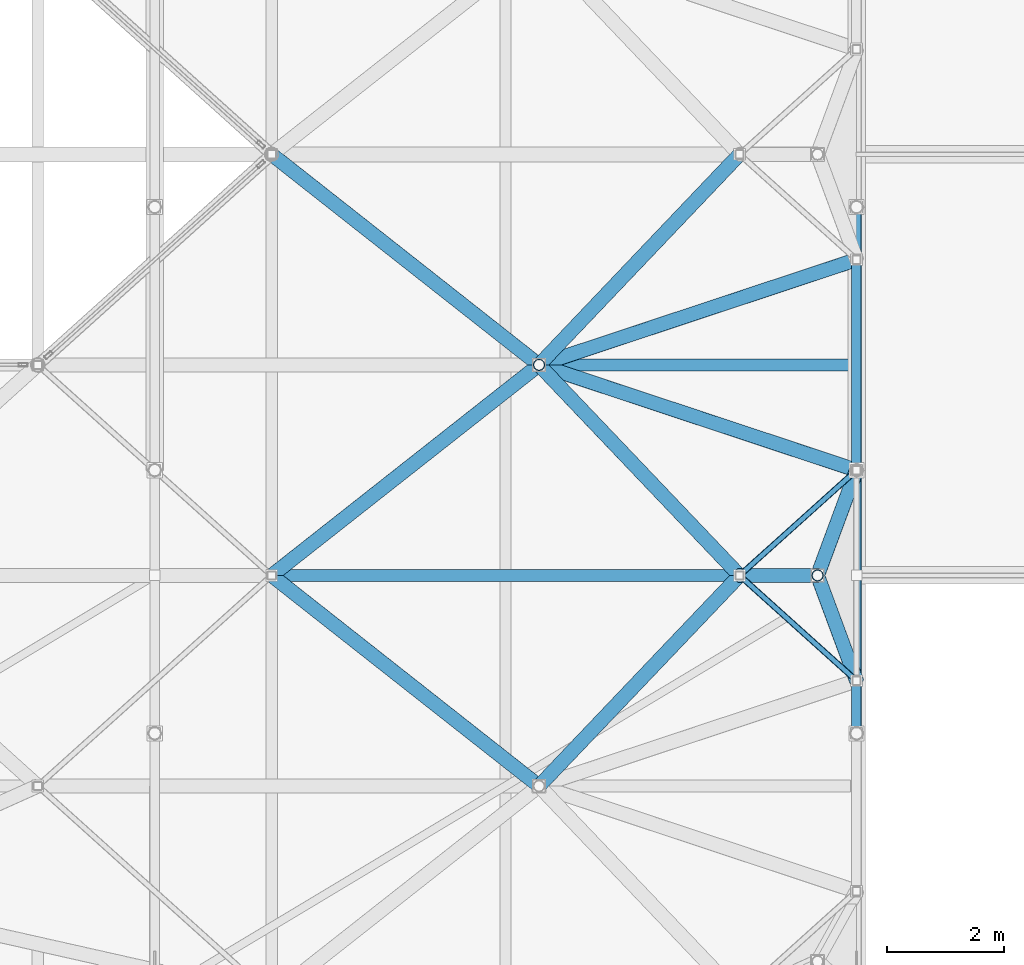
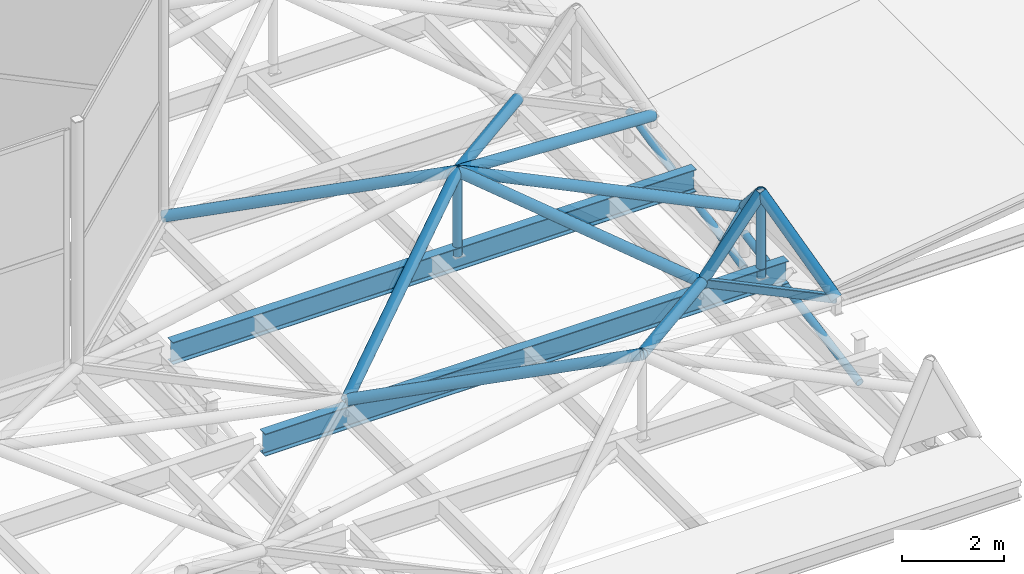
# One storey, part 43 of 239: 15 members, 4 beams.
"""IFC4 building model written with IfcOpenShell, lengths in metres."""

from ifc_helpers import new_model, si_unit, direction, frame, origin, origin_2d, place, context, subcontext, project, spatial, hollow_rectangle, hollow_circle, i_section, extrude, material, material_profile, profile_set, type_object, element, save


model = new_model("IFC4")

# Units and contexts
model_context = context("Model", 3, precision=1e-05, world=origin(), true_north=direction((0.0, 1.0)))
body_context = subcontext(model_context, "Body", "Model", "MODEL_VIEW")
ifc_project = project(units=[si_unit("LENGTHUNIT", "METRE"), si_unit("AREAUNIT", "SQUARE_METRE"), si_unit("VOLUMEUNIT", "CUBIC_METRE"), si_unit("PLANEANGLEUNIT", "RADIAN"), si_unit("MASSUNIT", "GRAM", prefix="KILO")], contexts=[model_context])

# Site, building, storey
site_placement = place(None, origin())
site = spatial("IfcSite", under=ifc_project, at=site_placement, CompositionType="ELEMENT")
building_placement = place(site_placement, origin())
building = spatial("IfcBuilding", under=site, at=building_placement, Name="Dunvalen Ferry Terminal", CompositionType="ELEMENT")
storey_placement = place(building_placement, frame((0.0, 0.0, 9.840087890625)))
storey = spatial("IfcBuildingStorey", under=building, at=storey_placement, Name="L02", CompositionType="ELEMENT", Elevation=9.840087890625)

# Beams
ifc_material = material(Name="Steel S355", Category="steel")
ifc_material_profile_1 = material_profile(ifc_material, hollow_rectangle(XDim=0.10009765625, YDim=0.199951171875, WallThickness=0.008056640625, InnerFilletRadius=0.008056640625, OuterFilletRadius=0.01611328125, at=origin_2d()), Name="Steel S355")
ifc_profile_set_1 = profile_set([ifc_material_profile_1], Name="Steel S355")
beam_type_1 = type_object("IfcBeamType", Name="STR-BM-RHS200", PredefinedType="BEAM", material=ifc_profile_set_1)
for number, where, z_axis, x_axis, name in (
    (1, (96.0, 55.800048828125, 1.099853515625), (-0.743285123004, 0.668974757313, 0.0), (-0.668974757313, -0.743285123004, 0.0), "HEX-40 Hexagonal Rim Beam 5"),
    (2, (94.0, 57.60009765625, 1.099853515625), (0.74333024006, 0.66892462521, 0.0), (-0.66892462521, 0.74333024006, 0.0), "HEX-41 Hexagonal Rim Beam 3"),
):
    element("IfcBeam", number, at=place(storey_placement, frame(where, z_axis=z_axis, x_axis=x_axis)), inside=storey, type_object=beam_type_1, Name=name, PredefinedType="BEAM", context=body_context, shape_type="SweptSolid", body=[
        extrude(hollow_rectangle(XDim=0.10009765625, YDim=0.199951171875, WallThickness=0.008056640625, InnerFilletRadius=0.008056640625, OuterFilletRadius=0.01611328125, at=origin_2d()), origin(), (0.0, 0.0, 1.0), 2.690673828125),
    ])
ifc_material_profile_2 = material_profile(ifc_material, i_section(OverallWidth=0.209228515625, OverallDepth=0.533203125, WebThickness=0.010009765625, FlangeThickness=0.015625, FilletRadius=0.0126953125, at=origin_2d()), Name="Steel S355")
ifc_profile_set_2 = profile_set([ifc_material_profile_2], Name="Steel S355")
beam_type_2 = type_object("IfcBeamType", Name="STR-BM-UKB533", PredefinedType="BEAM", material=ifc_profile_set_2)
for number, where, z_axis, x_axis, name in (
    (3, (84.10009765625, 57.60009765625, 0.7333984375), (1.0, 0.0, 0.0), (0.0, 1.0, 0.0), "Departure Hall Spine Girder B7.03"),
    (4, (84.10009765625, 61.199951171875, 0.7333984375), (1.0, 0.0, 0.0), (0.0, 1.0, 0.0), "Departure Hall Spine Girder B7.04"),
):
    element("IfcBeam", number, at=place(storey_placement, frame(where, z_axis=z_axis, x_axis=x_axis)), inside=storey, type_object=beam_type_2, Name=name, PredefinedType="BEAM", context=body_context, shape_type="SweptSolid", body=[
        extrude(i_section(OverallWidth=0.209228515625, OverallDepth=0.533203125, WebThickness=0.010009765625, FlangeThickness=0.015625, FilletRadius=0.0126953125, at=origin_2d()), origin(), (0.0, 0.0, 1.0), 11.7998046875),
    ])

# Members
ifc_material_profile_3 = material_profile(ifc_material, hollow_circle(Radius=0.084228515625, WallThickness=0.008056640625, at=origin_2d()), Name="Steel S355")
ifc_profile_set_3 = profile_set([ifc_material_profile_3], Name="Steel S355")
member_type_1 = type_object("IfcMemberType", Name="STR-MB-CHS168", PredefinedType="BRACE", material=ifc_profile_set_3)
member_1_placement = place(storey_placement, frame((96.0, 54.89990234375, -0.360107421875), z_axis=(0.0, 0.983218272848, 0.18243307797), x_axis=(-1.0, 0.0, 0.0)))
element("IfcMember", 5, at=member_1_placement, inside=storey, type_object=member_type_1, Name="Departure Hall Arch Web Diagonal 08.2", PredefinedType="BRACE", context=body_context, shape_type="SweptSolid", body=[
    extrude(hollow_circle(Radius=0.084228515625, WallThickness=0.008056640625, at=origin_2d()), origin(), (0.0, 0.0, 1.0), 4.576904296875),
])
member_2_placement = place(storey_placement, frame((96.0, 59.39990234375, -0.360107421875), z_axis=(0.0, 0.975316524259, 0.220811407104), x_axis=(-1.0, 0.0, 0.0)))
element("IfcMember", 6, at=member_2_placement, inside=storey, type_object=member_type_1, Name="Departure Hall Arch Web Diagonal 08.3", PredefinedType="BRACE", context=body_context, shape_type="SweptSolid", body=[
    extrude(hollow_circle(Radius=0.084228515625, WallThickness=0.008056640625, at=origin_2d()), origin(), (0.0, 0.0, 1.0), 4.61376953125),
])
ifc_material_profile_4 = material_profile(ifc_material, hollow_circle(Radius=0.096923828125, WallThickness=0.008056640625, at=origin_2d()), Name="Steel S355")
ifc_profile_set_4 = profile_set([ifc_material_profile_4], Name="Steel S355")
member_type_2 = type_object("IfcMemberType", Name="STR-MB-CHS193", PredefinedType="STRUT", material=ifc_profile_set_4)
for number, where, z_axis, x_axis, name in (
    (7, (90.5712890625, 61.199951171875, 0.77001953125), (0.0, 0.0, 1.0), (1.0, 0.0, 0.0), "HEX-41 Pyramid Apex Strut"),
    (8, (95.333251953125, 57.60009765625, 0.77001953125), (0.0, 0.0, 1.0), (1.0, 0.0, 0.0), "HEX-46 Pyramid Apex Strut"),
):
    element("IfcMember", number, at=place(storey_placement, frame(where, z_axis=z_axis, x_axis=x_axis)), inside=storey, type_object=member_type_2, Name=name, PredefinedType="STRUT", context=body_context, shape_type="SweptSolid", body=[
        extrude(hollow_circle(Radius=0.096923828125, WallThickness=0.008056640625, at=origin_2d()), origin(), (0.0, 0.0, 1.0), 1.994873046875),
    ])
ifc_material_profile_5 = material_profile(ifc_material, hollow_circle(Radius=0.122314453125, WallThickness=0.010009765625, at=origin_2d()), Name="Steel S355")
ifc_profile_set_5 = profile_set([ifc_material_profile_5], Name="Steel S355")
member_type_3 = type_object("IfcMemberType", Name="STR-MB-CHS244", PredefinedType="STRUT", material=ifc_profile_set_5)
member_3_placement = place(storey_placement, frame((94.0, 57.60009765625, 1.099853515625), z_axis=(-0.653958936196, -0.686647570005, 0.317573337002), x_axis=(0.724133259713, -0.689660077269, 0.0)))
element("IfcMember", 9, at=member_3_placement, inside=storey, type_object=member_type_3, Name="HEX-40 Pyramid Hip Rafter 6", PredefinedType="STRUT", context=body_context, shape_type="SweptSolid", body=[
    extrude(hollow_circle(Radius=0.122314453125, WallThickness=0.010009765625, at=origin_2d()), origin(), (0.0, 0.0, 1.0), 5.242919921875),
])
member_4_placement = place(storey_placement, frame((86.0, 57.60009765625, 1.099853515625), z_axis=(0.755303948682, -0.594836147579, 0.275110709785), x_axis=(0.61871061037, 0.785618979287, 0.0)))
element("IfcMember", 10, at=member_4_placement, inside=storey, type_object=member_type_3, Name="HEX-40 Pyramid Hip Rafter 7", PredefinedType="STRUT", context=body_context, shape_type="SweptSolid", body=[
    extrude(hollow_circle(Radius=0.122314453125, WallThickness=0.010009765625, at=origin_2d()), origin(), (0.0, 0.0, 1.0), 6.05224609375),
])
member_5_placement = place(storey_placement, frame((86.0, 57.60009765625, 1.099853515625), z_axis=(0.755322072227, 0.594810080911, 0.275117311076), x_axis=(-0.618684713088, 0.78563937388, 0.0)))
element("IfcMember", 11, at=member_5_placement, inside=storey, type_object=member_type_3, Name="HEX-41 Pyramid Hip Rafter 2", PredefinedType="STRUT", context=body_context, shape_type="SweptSolid", body=[
    extrude(hollow_circle(Radius=0.122314453125, WallThickness=0.010009765625, at=origin_2d()), origin(), (0.0, 0.0, 1.0), 6.052001953125),
])
member_6_placement = place(storey_placement, frame((94.0, 57.60009765625, 1.099853515625), z_axis=(-0.653979846008, 0.686622958516, 0.317583491155), x_axis=(-0.724109901608, -0.689684602114, 0.0)))
element("IfcMember", 12, at=member_6_placement, inside=storey, type_object=member_type_3, Name="HEX-41 Pyramid Hip Rafter 3", PredefinedType="STRUT", context=body_context, shape_type="SweptSolid", body=[
    extrude(hollow_circle(Radius=0.122314453125, WallThickness=0.010009765625, at=origin_2d()), origin(), (0.0, 0.0, 1.0), 5.242919921875),
])
for number, where, z_axis, x_axis, name in (
    (13, (96.0, 59.39990234375, 1.099853515625), (-0.911347276527, 0.302184002061, 0.279519177276), (-0.314729068317, -0.949181549313, 0.0), "HEX-41 Pyramid Hip Rafter 4"),
    (14, (96.0, 63.0, 1.099853515625), (-0.911347276527, -0.302184002061, 0.279519177276), (0.314729068317, -0.949181549313, 0.0), "HEX-41 Pyramid Hip Rafter 5"),
):
    element("IfcMember", number, at=place(storey_placement, frame(where, z_axis=z_axis, x_axis=x_axis)), inside=storey, type_object=member_type_3, Name=name, PredefinedType="STRUT", context=body_context, shape_type="SweptSolid", body=[
        extrude(hollow_circle(Radius=0.122314453125, WallThickness=0.010009765625, at=origin_2d()), origin(), (0.0, 0.0, 1.0), 5.956787109375),
    ])
member_7_placement = place(storey_placement, frame((94.0, 64.800048828125, 1.099853515625), z_axis=(-0.653958936196, -0.686647570005, 0.317573337002), x_axis=(0.724133259713, -0.689660077269, 0.0)))
element("IfcMember", 15, at=member_7_placement, inside=storey, type_object=member_type_3, Name="HEX-41 Pyramid Hip Rafter 6", PredefinedType="STRUT", context=body_context, shape_type="SweptSolid", body=[
    extrude(hollow_circle(Radius=0.122314453125, WallThickness=0.010009765625, at=origin_2d()), origin(), (0.0, 0.0, 1.0), 5.242919921875),
])
member_8_placement = place(storey_placement, frame((86.0, 64.800048828125, 1.099853515625), z_axis=(0.755303948682, -0.594836147579, 0.275110709785), x_axis=(0.61871061037, 0.785618979287, 0.0)))
element("IfcMember", 16, at=member_8_placement, inside=storey, type_object=member_type_3, Name="HEX-41 Pyramid Hip Rafter 7", PredefinedType="STRUT", context=body_context, shape_type="SweptSolid", body=[
    extrude(hollow_circle(Radius=0.122314453125, WallThickness=0.010009765625, at=origin_2d()), origin(), (0.0, 0.0, 1.0), 6.05224609375),
])
member_9_placement = place(storey_placement, frame((96.0, 59.39990234375, 1.099853515625), z_axis=(-0.262405599293, -0.708331775169, 0.655293367696), x_axis=(0.937722673521, -0.347384783151, 0.0)))
element("IfcMember", 17, at=member_9_placement, inside=storey, type_object=member_type_3, Name="HEX-46 Pyramid Hip Rafter 1", PredefinedType="STRUT", context=body_context, shape_type="SweptSolid", body=[
    extrude(hollow_circle(Radius=0.122314453125, WallThickness=0.010009765625, at=origin_2d()), origin(), (0.0, 0.0, 1.0), 2.541015625),
])
member_10_placement = place(storey_placement, frame((94.0, 57.60009765625, 1.099853515625), z_axis=(0.625043936243, 0.0, 0.780589570624), x_axis=(0.0, 1.0, 0.0)))
element("IfcMember", 18, at=member_10_placement, inside=storey, type_object=member_type_3, Name="HEX-46 Pyramid Hip Rafter 2", PredefinedType="STRUT", context=body_context, shape_type="SweptSolid", body=[
    extrude(hollow_circle(Radius=0.122314453125, WallThickness=0.010009765625, at=origin_2d()), origin(), (0.0, 0.0, 1.0), 2.133056640625),
])
member_11_placement = place(storey_placement, frame((96.0, 55.800048828125, 1.099853515625), z_axis=(-0.262387740737, 0.708379645717, 0.65524877035), x_axis=(-0.937738020856, -0.34734335209, 0.0)))
element("IfcMember", 19, at=member_11_placement, inside=storey, type_object=member_type_3, Name="HEX-46 Pyramid Hip Rafter 3", PredefinedType="STRUT", context=body_context, shape_type="SweptSolid", body=[
    extrude(hollow_circle(Radius=0.122314453125, WallThickness=0.010009765625, at=origin_2d()), origin(), (0.0, 0.0, 1.0), 2.541015625),
])

save(model, "model.ifc")
